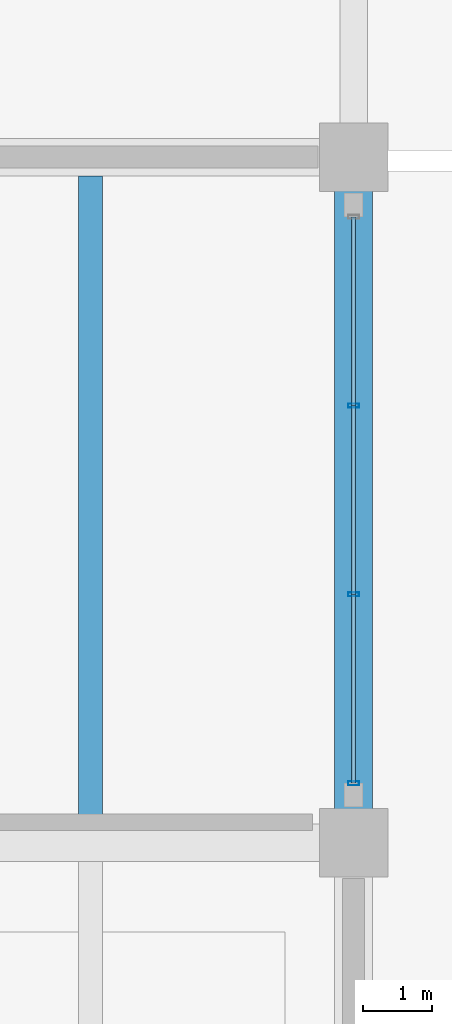
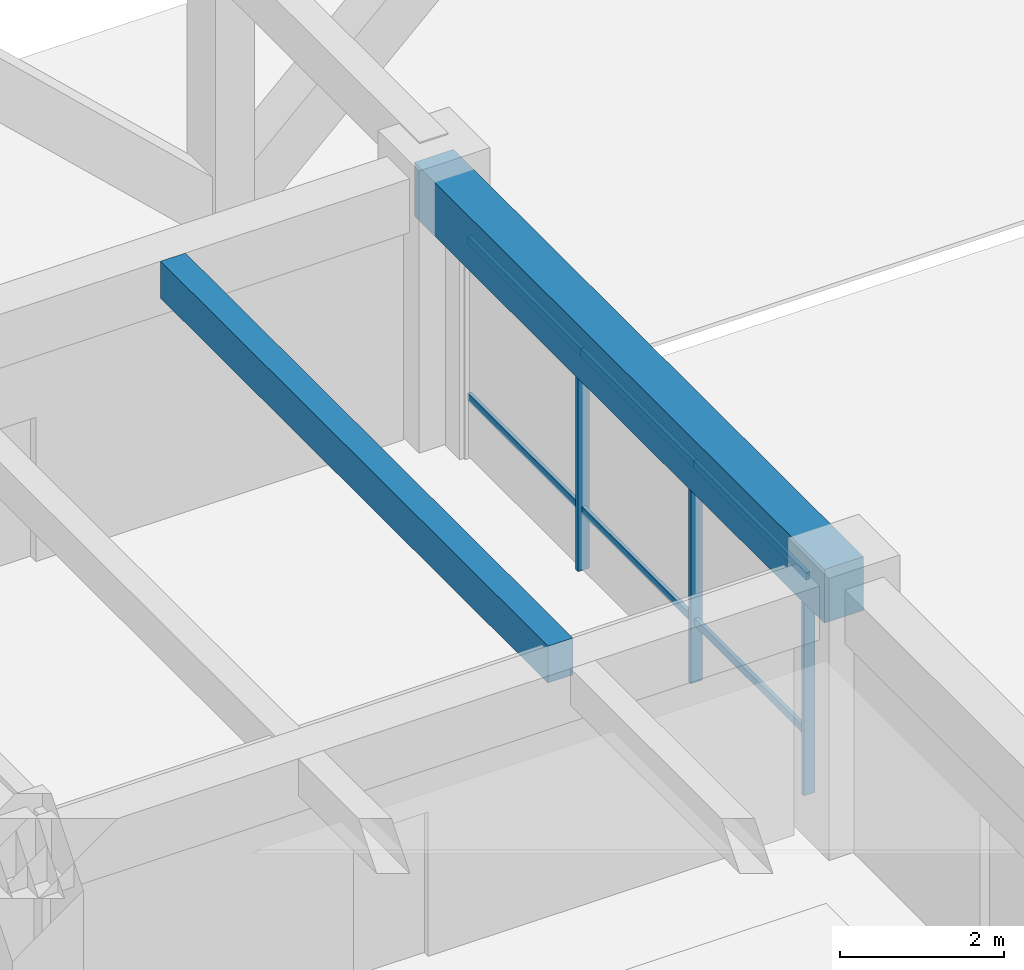
# One storey, part 45 of 109: 9 members, 2 beams, 1 element without a shape of its own.
"""IFC4 building model written with IfcOpenShell, lengths in metres."""

from ifc_helpers import new_model, si_unit, direction, frame, origin, origin_2d, place, context, subcontext, project, spatial, rectangle, hollow_rectangle, extrude, material, material_profile, profile_set, type_object, element, aggregate, save


model = new_model("IFC4")

# Units and contexts
model_context = context("Model", 3, precision=1e-05, world=origin(), true_north=direction((0.0, 1.0)))
body_context = subcontext(model_context, "Body", "Model", "MODEL_VIEW")
ifc_project = project(units=[si_unit("LENGTHUNIT", "METRE"), si_unit("AREAUNIT", "SQUARE_METRE"), si_unit("VOLUMEUNIT", "CUBIC_METRE"), si_unit("PLANEANGLEUNIT", "RADIAN"), si_unit("MASSUNIT", "GRAM", prefix="KILO")], contexts=[model_context])

# Site, building, storey
site_placement = place(None, origin())
site = spatial("IfcSite", under=ifc_project, at=site_placement, CompositionType="ELEMENT")
building_placement = place(site_placement, origin())
building = spatial("IfcBuilding", under=site, at=building_placement, Name="Ologun Quay Terminus", CompositionType="ELEMENT")
storey_placement = place(building_placement, origin())
storey = spatial("IfcBuildingStorey", under=building, at=storey_placement, Name="L00", CompositionType="ELEMENT", Elevation=0.0)

# Curtain wall, members
ifc_material_1 = material(Name="Aluminium 6063-T6", Category="aluminium")
curtain_wall_type = type_object("IfcCurtainWallType", Name="Rain-Garden West Courtyard Curtain Wall L00 8200x3750", PredefinedType="USERDEFINED", material=ifc_material_1)
curtain_wall_placement = place(storey_placement, origin())
curtain_wall = element("IfcCurtainWall", 1, at=curtain_wall_placement, inside=storey, type_object=curtain_wall_type, Name="CW-13 Curtain Wall CW-L00-095", ObjectType="UNITISED CURTAIN WALL", PredefinedType="USERDEFINED")
ifc_material_2 = material(Name="Aluminium 6063-T6", Category="aluminium")
ifc_material_profile_1 = material_profile(ifc_material_2, hollow_rectangle(XDim=0.06005859375, YDim=0.159912109375, WallThickness=0.00390625, at=origin_2d()), Name="ALU 160x60x4")
ifc_profile_set_1 = profile_set([ifc_material_profile_1], Name="Aluminium 6063-T6")
member_type_1 = type_object("IfcMemberType", Name="Courtyard Screen Mullion 160x65", PredefinedType="MULLION", material=ifc_profile_set_1)
member_1_placement = place(storey_placement, frame((69.0, 105.669921875, 0.0), z_axis=(0.0, 0.0, 1.0), x_axis=(0.0, 1.0, 0.0)))
member_1 = element("IfcMember", 2, at=member_1_placement, type_object=member_type_1, Name="CW-L00-095 Mullion 1", PredefinedType="MULLION", context=body_context, shape_type="SweptSolid", body=[
    extrude(hollow_rectangle(XDim=0.06005859375, YDim=0.159912109375, WallThickness=0.00390625, at=origin_2d()), origin(), (0.0, 0.0, 1.0), 3.929931640625),
])
member_2_placement = place(storey_placement, frame((69.0, 108.42333984375, 0.0), z_axis=(0.0, 0.0, 1.0), x_axis=(0.0, 1.0, 0.0)))
member_2 = element("IfcMember", 3, at=member_2_placement, type_object=member_type_1, Name="CW-L00-095 Mullion 2", PredefinedType="MULLION", context=body_context, shape_type="SweptSolid", body=[
    extrude(hollow_rectangle(XDim=0.06005859375, YDim=0.159912109375, WallThickness=0.00390625, at=origin_2d()), origin(), (0.0, 0.0, 1.0), 3.929931640625),
])
member_3_placement = place(storey_placement, frame((69.0, 111.1767578125, 0.0), z_axis=(0.0, 0.0, 1.0), x_axis=(0.0, 1.0, 0.0)))
member_3 = element("IfcMember", 4, at=member_3_placement, type_object=member_type_1, Name="CW-L00-095 Mullion 3", PredefinedType="MULLION", context=body_context, shape_type="SweptSolid", body=[
    extrude(hollow_rectangle(XDim=0.06005859375, YDim=0.159912109375, WallThickness=0.00390625, at=origin_2d()), origin(), (0.0, 0.0, 1.0), 3.929931640625),
])
ifc_material_3 = material(Name="Aluminium 6063-T6", Category="aluminium")
ifc_material_profile_2 = material_profile(ifc_material_3, hollow_rectangle(XDim=0.054931640625, YDim=0.110107421875, WallThickness=0.00390625, at=origin_2d()), Name="ALU 110x55x4")
ifc_profile_set_2 = profile_set([ifc_material_profile_2], Name="Aluminium 6063-T6")
member_type_2 = type_object("IfcMemberType", Name="Courtyard Screen Transom 110x55", PredefinedType="USERDEFINED", material=ifc_profile_set_2)
member_4_placement = place(storey_placement, frame((69.0, 105.669921875, 0.89990234375), z_axis=(0.0, 1.0, 0.0), x_axis=(-1.0, 0.0, 0.0)))
member_4 = element("IfcMember", 5, at=member_4_placement, type_object=member_type_2, Name="CW-L00-095 Transom B1-1", ObjectType="TRANSOM", PredefinedType="USERDEFINED", context=body_context, shape_type="SweptSolid", body=[
    extrude(hollow_rectangle(XDim=0.054931640625, YDim=0.110107421875, WallThickness=0.00390625, at=origin_2d()), origin(), (0.0, 0.0, 1.0), 2.75341796875),
])
member_5_placement = place(storey_placement, frame((69.0, 105.669921875, 3.22998046875), z_axis=(0.0, 1.0, 0.0), x_axis=(-1.0, 0.0, 0.0)))
member_5 = element("IfcMember", 6, at=member_5_placement, type_object=member_type_2, Name="CW-L00-095 Transom B1-2", ObjectType="TRANSOM", PredefinedType="USERDEFINED", context=body_context, shape_type="SweptSolid", body=[
    extrude(hollow_rectangle(XDim=0.054931640625, YDim=0.110107421875, WallThickness=0.00390625, at=origin_2d()), origin(), (0.0, 0.0, 1.0), 2.75341796875),
])
member_6_placement = place(storey_placement, frame((69.0, 108.42333984375, 0.89990234375), z_axis=(0.0, 1.0, 0.0), x_axis=(-1.0, 0.0, 0.0)))
member_6 = element("IfcMember", 7, at=member_6_placement, type_object=member_type_2, Name="CW-L00-095 Transom B2-1", ObjectType="TRANSOM", PredefinedType="USERDEFINED", context=body_context, shape_type="SweptSolid", body=[
    extrude(hollow_rectangle(XDim=0.054931640625, YDim=0.110107421875, WallThickness=0.00390625, at=origin_2d()), origin(), (0.0, 0.0, 1.0), 2.75341796875),
])
member_7_placement = place(storey_placement, frame((69.0, 108.42333984375, 3.22998046875), z_axis=(0.0, 1.0, 0.0), x_axis=(-1.0, 0.0, 0.0)))
member_7 = element("IfcMember", 8, at=member_7_placement, type_object=member_type_2, Name="CW-L00-095 Transom B2-2", ObjectType="TRANSOM", PredefinedType="USERDEFINED", context=body_context, shape_type="SweptSolid", body=[
    extrude(hollow_rectangle(XDim=0.054931640625, YDim=0.110107421875, WallThickness=0.00390625, at=origin_2d()), origin(), (0.0, 0.0, 1.0), 2.75341796875),
])
member_8_placement = place(storey_placement, frame((69.0, 111.1767578125, 0.89990234375), z_axis=(0.0, 1.0, 0.0), x_axis=(-1.0, 0.0, 0.0)))
member_8 = element("IfcMember", 9, at=member_8_placement, type_object=member_type_2, Name="CW-L00-095 Transom B3-1", ObjectType="TRANSOM", PredefinedType="USERDEFINED", context=body_context, shape_type="SweptSolid", body=[
    extrude(hollow_rectangle(XDim=0.054931640625, YDim=0.110107421875, WallThickness=0.00390625, at=origin_2d()), origin(), (0.0, 0.0, 1.0), 2.753173828125),
])
member_9_placement = place(storey_placement, frame((69.0, 111.1767578125, 3.22998046875), z_axis=(0.0, 1.0, 0.0), x_axis=(-1.0, 0.0, 0.0)))
member_9 = element("IfcMember", 10, at=member_9_placement, type_object=member_type_2, Name="CW-L00-095 Transom B3-2", ObjectType="TRANSOM", PredefinedType="USERDEFINED", context=body_context, shape_type="SweptSolid", body=[
    extrude(hollow_rectangle(XDim=0.054931640625, YDim=0.110107421875, WallThickness=0.00390625, at=origin_2d()), origin(), (0.0, 0.0, 1.0), 2.753173828125),
])
aggregate(curtain_wall, [member_1, member_2, member_3, member_4, member_5, member_6, member_7, member_8, member_9])

# Beams
ifc_material_4 = material(Name="Concrete C40/50", Category="concrete")
ifc_material_profile_3 = material_profile(ifc_material_4, rectangle(XDim=0.550048828125, YDim=0.800048828125, at=origin_2d()), Name="RC 550x800")
ifc_profile_set_3 = profile_set([ifc_material_profile_3], Name="Concrete C40/50")
beam_type_1 = type_object("IfcBeamType", Name="Courtyard Wing Primary Girder 550x800", PredefinedType="BEAM", material=ifc_profile_set_3)
beam_1_placement = place(storey_placement, frame((69.0, 104.800048828125, 3.550048828125), z_axis=(0.0, 1.0, 0.0), x_axis=(-1.0, 0.0, 0.0)))
element("IfcBeam", 11, at=beam_1_placement, inside=storey, type_object=beam_type_1, Name="B4 Beam 7/J L00", PredefinedType="BEAM", context=body_context, shape_type="SweptSolid", body=[
    extrude(rectangle(XDim=0.550048828125, YDim=0.800048828125, at=origin_2d()), origin(), (0.0, 0.0, 1.0), 10.0),
])
ifc_material_5 = material(Name="Concrete C40/50", Category="concrete")
ifc_material_profile_4 = material_profile(ifc_material_5, rectangle(XDim=0.35009765625, YDim=0.550048828125, at=origin_2d()), Name="RC 350x550")
ifc_profile_set_4 = profile_set([ifc_material_profile_4], Name="Concrete C40/50")
beam_type_2 = type_object("IfcBeamType", Name="Courtyard Wing Secondary Joist 350x550", PredefinedType="JOIST", material=ifc_profile_set_4)
beam_2_placement = place(storey_placement, frame((65.166748046875, 105.074951171875, 3.675048828125), z_axis=(0.0, 1.0, 0.0), x_axis=(-1.0, 0.0, 0.0)))
element("IfcBeam", 12, at=beam_2_placement, inside=storey, type_object=beam_type_2, Name="J2 Beam 6/J L00", PredefinedType="JOIST", context=body_context, shape_type="SweptSolid", body=[
    extrude(rectangle(XDim=0.35009765625, YDim=0.550048828125, at=origin_2d()), origin(), (0.0, 0.0, 1.0), 9.449951171875),
])

save(model, "model.ifc")
